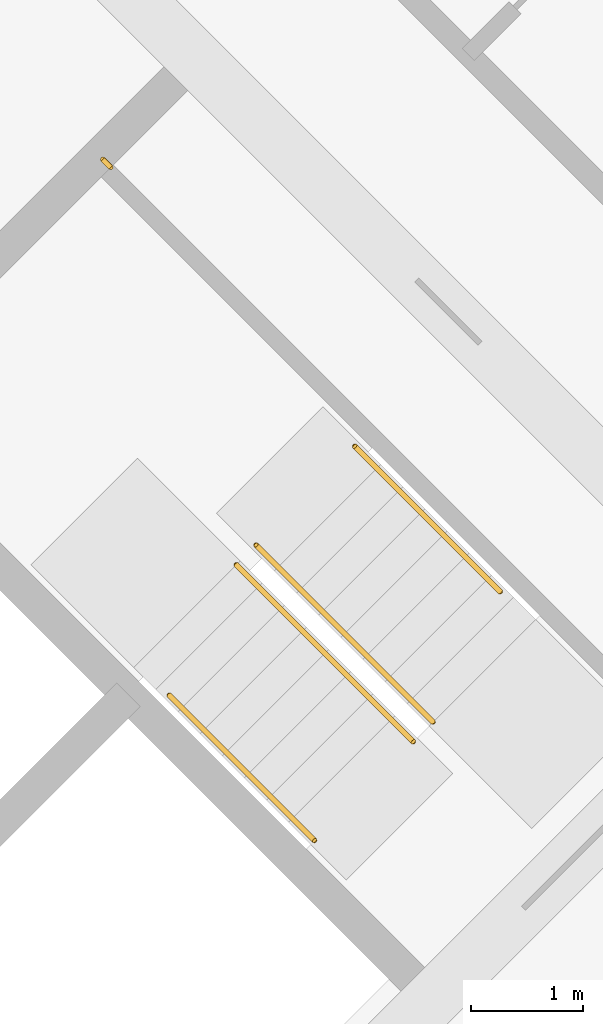
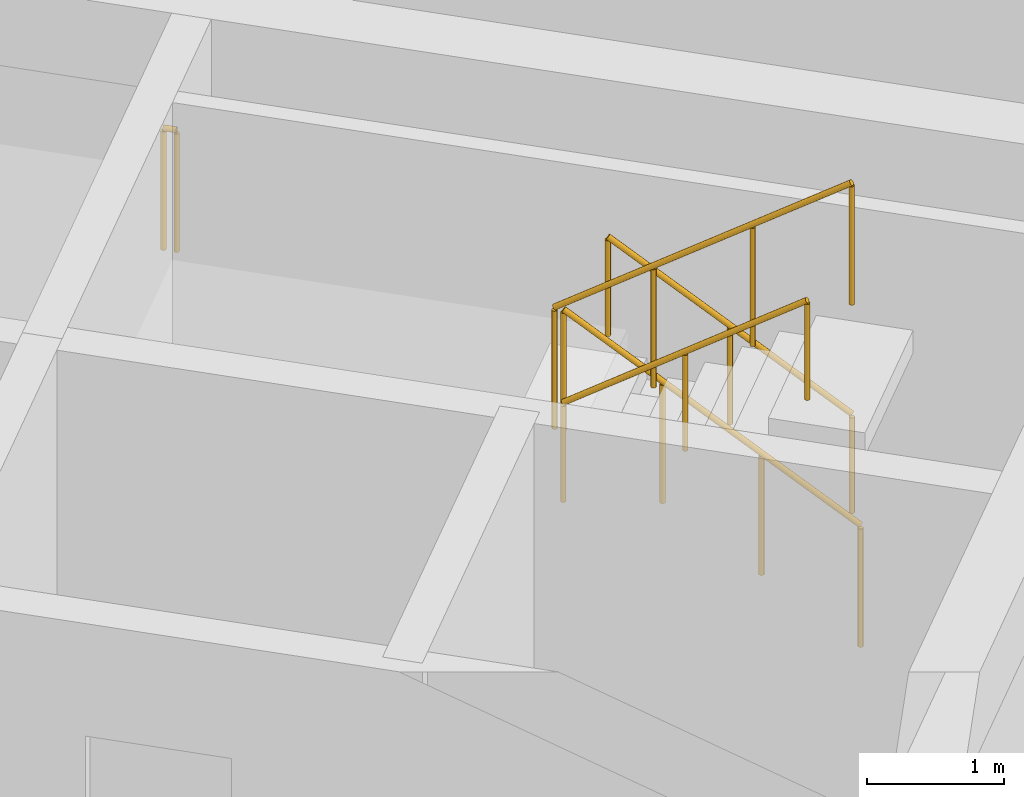
# One storey, part 12 of 12: 5 railings.
"""IFC4 building model written with IfcOpenShell, lengths in metres."""

from ifc_helpers import new_model, si_unit, direction, frame, origin, origin_2d, place, context, subcontext, project, spatial, circle, extrude, material, type_object, element, save


model = new_model("IFC4")

# Units and contexts
model_context = context("Model", 3, precision=1e-05, world=origin(), true_north=direction((0.0, 1.0)))
body_context = subcontext(model_context, "Body", "Model", "MODEL_VIEW")
ifc_project = project(units=[si_unit("LENGTHUNIT", "METRE"), si_unit("AREAUNIT", "SQUARE_METRE"), si_unit("VOLUMEUNIT", "CUBIC_METRE"), si_unit("PLANEANGLEUNIT", "RADIAN"), si_unit("MASSUNIT", "GRAM", prefix="KILO")], contexts=[model_context])

# Site, building, storey
site_placement = place(None, origin())
site = spatial("IfcSite", under=ifc_project, at=site_placement, CompositionType="ELEMENT")
building_placement = place(site_placement, origin())
building = spatial("IfcBuilding", under=site, at=building_placement, Name="Windrow Commons", CompositionType="ELEMENT")
storey_placement = place(building_placement, frame((0.0, 0.0, 206.6)))
storey = spatial("IfcBuildingStorey", under=building, at=storey_placement, Name="L56", CompositionType="ELEMENT", Elevation=206.6)

# Railings
ifc_material_1 = material(Name="Steel S355", Category="steel")
railing_type_1 = type_object("IfcRailingType", Name="Core stair guard 1100", PredefinedType="GUARDRAIL", material=ifc_material_1)
railing_1_placement = place(storey_placement, frame((94.2296, 48.4215, 0.1889)))
element("IfcRailing", 1, at=railing_1_placement, inside=storey, type_object=railing_type_1, Name="L56 ST-B2 stair guard 1", PredefinedType="GUARDRAIL", context=body_context, shape_type="SweptSolid", body=[
    extrude(circle(Radius=0.024, at=origin_2d()), frame((0.0, 0.0, 1.076), z_axis=(-0.5862157828, 0.5861787742, 0.5592365337), x_axis=(-0.7070844598, -0.7071291018, 0.0)), (0.0, 0.0, 1.0), 2.7021),
    extrude(circle(Radius=0.021, at=origin_2d()), origin(), (0.0, 0.0, 1.0), 1.052),
    extrude(circle(Radius=0.021, at=origin_2d()), frame((-0.528, 0.528, 0.5037)), (0.0, 0.0, 1.0), 1.052),
    extrude(circle(Radius=0.021, at=origin_2d()), frame((-1.056, 1.0559, 1.0074)), (0.0, 0.0, 1.0), 1.052),
    extrude(circle(Radius=0.021, at=origin_2d()), frame((-1.584, 1.5839, 1.5111)), (0.0, 0.0, 1.0), 1.052),
])
railing_2_placement = place(storey_placement, frame((92.4689, 49.8287, 1.8889)))
element("IfcRailing", 2, at=railing_2_placement, inside=storey, type_object=railing_type_1, Name="L56 ST-B2 stair guard 2", PredefinedType="GUARDRAIL", context=body_context, shape_type="SweptSolid", body=[
    extrude(circle(Radius=0.024, at=origin_2d()), frame((0.0, 0.0, 1.076), z_axis=(0.5861787742, -0.5862157828, 0.5592365337), x_axis=(0.7071291018, 0.7070844598, 0.0)), (0.0, 0.0, 1.0), 2.7021),
    extrude(circle(Radius=0.021, at=origin_2d()), origin(), (0.0, 0.0, 1.0), 1.052),
    extrude(circle(Radius=0.021, at=origin_2d()), frame((0.528, -0.528, 0.5037)), (0.0, 0.0, 1.0), 1.052),
    extrude(circle(Radius=0.021, at=origin_2d()), frame((1.0559, -1.056, 1.0074)), (0.0, 0.0, 1.0), 1.052),
    extrude(circle(Radius=0.021, at=origin_2d()), frame((1.5839, -1.584, 1.5111)), (0.0, 0.0, 1.0), 1.052),
])
railing_3_placement = place(storey_placement, frame((91.3446, 53.3854, 1.7)))
element("IfcRailing", 3, at=railing_3_placement, inside=storey, type_object=railing_type_1, Name="L56 ST-B2 stair guard 3", PredefinedType="GUARDRAIL", context=body_context, shape_type="SweptSolid", body=[
    extrude(circle(Radius=0.024, at=origin_2d()), frame((0.0, 0.0, 1.076), z_axis=(-0.7076063266, 0.7066068826, 0.0), x_axis=(-0.7066068826, -0.7076063266, 0.0)), (0.0, 0.0, 1.0), 0.1001),
    extrude(circle(Radius=0.021, at=origin_2d()), origin(), (0.0, 0.0, 1.0), 1.052),
    extrude(circle(Radius=0.021, at=origin_2d()), frame((-0.0708, 0.0707, 0.0)), (0.0, 0.0, 1.0), 1.052),
])
ifc_material_2 = material(Name="Steel S355", Category="steel")
railing_type_2 = type_object("IfcRailingType", Name="Core stair handrail 900", PredefinedType="HANDRAIL", material=ifc_material_2)
railing_4_placement = place(storey_placement, frame((94.8306, 49.5883, 0.4587)))
element("IfcRailing", 4, at=railing_4_placement, inside=storey, type_object=railing_type_2, Name="L56 ST-B2 stair handrail 1", PredefinedType="HANDRAIL", context=body_context, shape_type="SweptSolid", body=[
    extrude(circle(Radius=0.024, at=origin_2d()), frame((0.0, 0.0, 0.876), z_axis=(-0.586206706, 0.5861616513, 0.5592639952), x_axis=(-0.7070796062, -0.7071339551, 0.0)), (0.0, 0.0, 1.0), 2.2195),
    extrude(circle(Radius=0.021, at=origin_2d()), origin(), (0.0, 0.0, 1.0), 0.852),
    extrude(circle(Radius=0.021, at=origin_2d()), frame((-0.6506, 0.6505, 0.6207)), (0.0, 0.0, 1.0), 0.852),
    extrude(circle(Radius=0.021, at=origin_2d()), frame((-1.3011, 1.301, 1.2413)), (0.0, 0.0, 1.0), 0.852),
])
railing_5_placement = place(storey_placement, frame((91.8678, 48.6619, 2.1587)))
element("IfcRailing", 5, at=railing_5_placement, inside=storey, type_object=railing_type_2, Name="L56 ST-B2 stair handrail 2", PredefinedType="HANDRAIL", context=body_context, shape_type="SweptSolid", body=[
    extrude(circle(Radius=0.024, at=origin_2d()), frame((0.0, 0.0, 0.876), z_axis=(0.586206706, -0.5861616513, 0.5592639952), x_axis=(0.7070796062, 0.7071339551, 0.0)), (0.0, 0.0, 1.0), 2.2195),
    extrude(circle(Radius=0.021, at=origin_2d()), origin(), (0.0, 0.0, 1.0), 0.852),
    extrude(circle(Radius=0.021, at=origin_2d()), frame((0.6505, -0.6505, 0.6206)), (0.0, 0.0, 1.0), 0.852),
    extrude(circle(Radius=0.021, at=origin_2d()), frame((1.3011, -1.301, 1.2413)), (0.0, 0.0, 1.0), 0.852),
])

save(model, "model.ifc")
